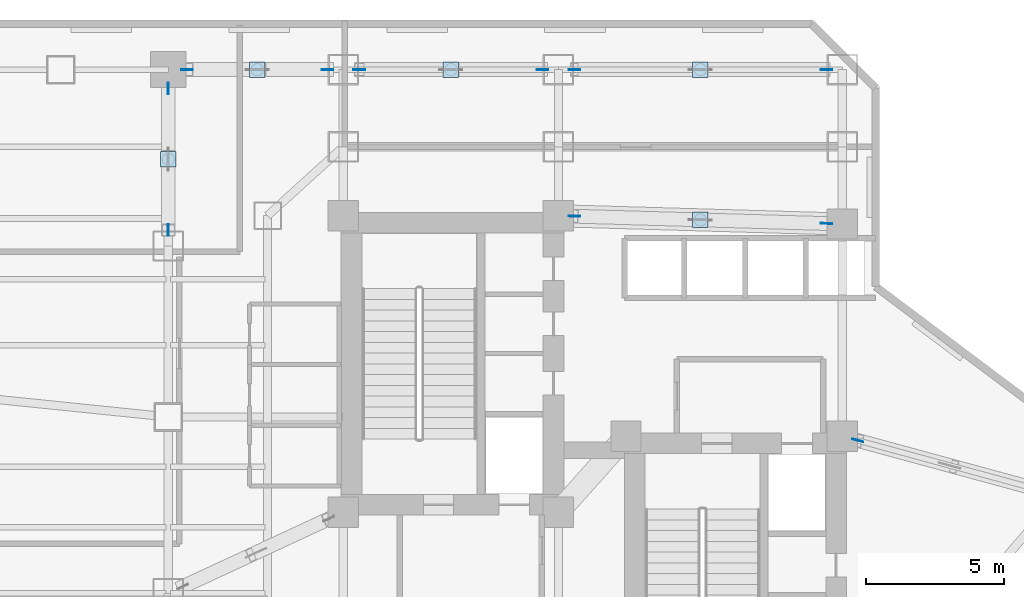
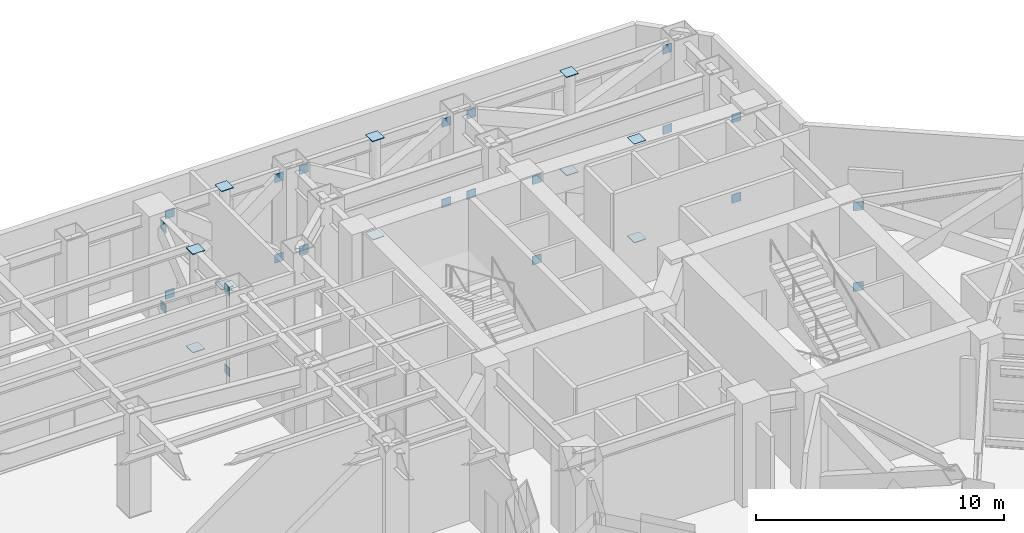
# One storey, part 8 of 16: 32 plates.
"""IFC4 building model written with IfcOpenShell, lengths in metres."""

from ifc_helpers import new_model, si_unit, direction, frame, origin, origin_2d, place, context, subcontext, project, spatial, rectangle, extrude, material, layer, layer_set, type_object, element, save


model = new_model("IFC4")

# Units and contexts
model_context = context("Model", 3, precision=1e-05, world=origin(), true_north=direction((0.0, 1.0)))
body_context = subcontext(model_context, "Body", "Model", "MODEL_VIEW")
ifc_project = project(units=[si_unit("LENGTHUNIT", "METRE"), si_unit("AREAUNIT", "SQUARE_METRE"), si_unit("VOLUMEUNIT", "CUBIC_METRE"), si_unit("PLANEANGLEUNIT", "RADIAN"), si_unit("MASSUNIT", "GRAM", prefix="KILO")], contexts=[model_context])

# Site, building, storey
site_placement = place(None, origin())
site = spatial("IfcSite", under=ifc_project, at=site_placement, CompositionType="ELEMENT")
building_placement = place(site_placement, origin())
building = spatial("IfcBuilding", under=site, at=building_placement, Name="Hatsunagi Terrace Concourse", CompositionType="ELEMENT")
storey_placement = place(building_placement, frame((0.0, 0.0, 27.0)))
storey = spatial("IfcBuildingStorey", under=building, at=storey_placement, Name="L06", CompositionType="ELEMENT", Elevation=27.0)

# Plates
ifc_material_1 = material(Name="Steel SN490C", Category="steel")
ifc_layer_1 = layer(ifc_material_1, 0.031982421875)
ifc_layer_set_1 = layer_set([ifc_layer_1], Name="ColumnEndCapPlate_32")
plate_type_1 = type_object("IfcPlateType", Name="ColumnEndCapPlate_32", PredefinedType="USERDEFINED", material=ifc_layer_set_1)
for number, where, z_axis, x_axis, name in (
    (1, (19.199951171875, 45.35009765625, 0.0), (0.0, 0.0, 1.0), (1.0, 0.0, 0.0), "Belt Strut Base End Plate GP-03 L06-2"),
    (2, (19.199951171875, 45.35009765625, 4.84814453125), (0.0, 0.0, 1.0), (1.0, 0.0, 0.0), "Belt Strut Top End Plate GP-03 L06-2"),
    (3, (22.425048828125, 48.60009765625, 0.0), (0.0, 0.0, 1.0), (1.0, 0.0, 0.0), "Belt Strut Base End Plate GP-03 L06-3"),
    (4, (22.425048828125, 48.60009765625, 4.84814453125), (0.0, 0.0, 1.0), (1.0, 0.0, 0.0), "Belt Strut Top End Plate GP-03 L06-3"),
    (5, (29.449951171875, 48.60009765625, 0.0), (0.0, 0.0, 1.0), (1.0, 0.0, 0.0), "Belt Strut Base End Plate GP-03 L06-4"),
    (6, (29.449951171875, 48.60009765625, 4.84814453125), (0.0, 0.0, 1.0), (1.0, 0.0, 0.0), "Belt Strut Top End Plate GP-03 L06-4"),
    (7, (38.5, 43.14990234375, 0.0), (0.0, 0.0, 1.0), (1.0, 0.0, 0.0), "Belt Strut Base End Plate GP-03 L06-7"),
    (8, (38.5, 43.14990234375, 4.84814453125), (0.0, 0.0, 1.0), (1.0, 0.0, 0.0), "Belt Strut Top End Plate GP-03 L06-7"),
    (9, (38.5, 48.60009765625, 0.0), (0.0, 0.0, 1.0), (1.0, 0.0, 0.0), "Belt Strut Base End Plate GP-03 L06-8"),
    (10, (38.5, 48.60009765625, 4.84814453125), (0.0, 0.0, 1.0), (1.0, 0.0, 0.0), "Belt Strut Top End Plate GP-03 L06-8"),
):
    element("IfcPlate", number, at=place(storey_placement, frame(where, z_axis=z_axis, x_axis=x_axis)), inside=storey, type_object=plate_type_1, Name=name, ObjectType="GUSSET_PLATE", PredefinedType="USERDEFINED", context=body_context, shape_type="SweptSolid", body=[
        extrude(rectangle(XDim=0.56005859375, YDim=0.56005859375, at=origin_2d()), origin(), (0.0, 0.0, 1.0), 0.031982421875),
    ])
ifc_material_2 = material(Name="Steel SN490C", Category="steel")
ifc_layer_2 = layer(ifc_material_2, 0.031982421875)
ifc_layer_set_2 = layer_set([ifc_layer_2], Name="XBraceNodeCapPlate_32")
plate_type_2 = type_object("IfcPlateType", Name="XBraceNodeCapPlate_32", PredefinedType="USERDEFINED", material=ifc_layer_set_2)
for number, where, z_axis, x_axis, name in (
    (11, (19.199951171875, 42.778076171875, 0.25), (0.0, 0.0, 1.0), (0.0, 1.0, 0.0), "Cast-In Core and Node Embed Plate GP-02 EP-OUT-L06-2-AB"),
    (12, (19.199951171875, 42.778076171875, 4.2099609375), (0.0, 0.0, 1.0), (0.0, 1.0, 0.0), "Cast-In Core and Node Embed Plate GP-02 EP-OUT-L06-2-AT"),
    (13, (19.199951171875, 47.922119140625, 0.25), (0.0, 0.0, 1.0), (0.0, 1.0, 0.0), "Cast-In Core and Node Embed Plate GP-02 EP-OUT-L06-2-BB"),
    (14, (19.199951171875, 47.922119140625, 4.2099609375), (0.0, 0.0, 1.0), (0.0, 1.0, 0.0), "Cast-In Core and Node Embed Plate GP-02 EP-OUT-L06-2-BT"),
    (15, (19.8779296875, 48.60009765625, 0.25), (0.0, 0.0, 1.0), (1.0, 0.0, 0.0), "Cast-In Core and Node Embed Plate GP-02 EP-OUT-L06-3-AB"),
    (16, (19.8779296875, 48.60009765625, 4.2099609375), (0.0, 0.0, 1.0), (1.0, 0.0, 0.0), "Cast-In Core and Node Embed Plate GP-02 EP-OUT-L06-3-AT"),
    (17, (24.971923828125, 48.60009765625, 0.25), (0.0, 0.0, 1.0), (1.0, 0.0, 0.0), "Cast-In Core and Node Embed Plate GP-02 EP-OUT-L06-3-BB"),
    (18, (24.971923828125, 48.60009765625, 4.2099609375), (0.0, 0.0, 1.0), (1.0, 0.0, 0.0), "Cast-In Core and Node Embed Plate GP-02 EP-OUT-L06-3-BT"),
    (19, (26.1279296875, 48.60009765625, 0.25), (0.0, 0.0, 1.0), (1.0, 0.0, 0.0), "Cast-In Core and Node Embed Plate GP-02 EP-OUT-L06-4-AB"),
    (20, (26.1279296875, 48.60009765625, 4.2099609375), (0.0, 0.0, 1.0), (1.0, 0.0, 0.0), "Cast-In Core and Node Embed Plate GP-02 EP-OUT-L06-4-AT"),
    (21, (32.77197265625, 48.60009765625, 0.25), (0.0, 0.0, 1.0), (1.0, 0.0, 0.0), "Cast-In Core and Node Embed Plate GP-02 EP-OUT-L06-4-BB"),
    (22, (32.77197265625, 48.60009765625, 4.2099609375), (0.0, 0.0, 1.0), (1.0, 0.0, 0.0), "Cast-In Core and Node Embed Plate GP-02 EP-OUT-L06-4-BT"),
    (23, (44.2080078125, 35.14794921875, 0.25), (0.0, 0.0, 1.0), (0.964961560534, -0.262391285471, 0.0), "Cast-In Core and Node Embed Plate GP-02 EP-OUT-L06-6-AB"),
    (24, (44.2080078125, 35.14794921875, 4.2099609375), (0.0, 0.0, 1.0), (0.964961560534, -0.262391285471, 0.0), "Cast-In Core and Node Embed Plate GP-02 EP-OUT-L06-6-AT"),
    (25, (33.927978515625, 43.282958984375, 0.25), (0.0, 0.0, 1.0), (0.999576120557, -0.029113213716, 0.0), "Cast-In Core and Node Embed Plate GP-02 EP-OUT-L06-7-AB"),
    (26, (33.927978515625, 43.282958984375, 4.2099609375), (0.0, 0.0, 1.0), (0.999576120557, -0.029113213716, 0.0), "Cast-In Core and Node Embed Plate GP-02 EP-OUT-L06-7-AT"),
    (27, (43.072021484375, 43.01708984375, 0.25), (0.0, 0.0, 1.0), (0.999576120557, -0.029113213716, 0.0), "Cast-In Core and Node Embed Plate GP-02 EP-OUT-L06-7-BB"),
    (28, (43.072021484375, 43.01708984375, 4.2099609375), (0.0, 0.0, 1.0), (0.999576120557, -0.029113213716, 0.0), "Cast-In Core and Node Embed Plate GP-02 EP-OUT-L06-7-BT"),
    (29, (33.927978515625, 48.60009765625, 0.25), (0.0, 0.0, 1.0), (1.0, 0.0, 0.0), "Cast-In Core and Node Embed Plate GP-02 EP-OUT-L06-8-AB"),
    (30, (33.927978515625, 48.60009765625, 4.2099609375), (0.0, 0.0, 1.0), (1.0, 0.0, 0.0), "Cast-In Core and Node Embed Plate GP-02 EP-OUT-L06-8-AT"),
    (31, (43.072021484375, 48.60009765625, 0.25), (0.0, 0.0, 1.0), (1.0, 0.0, 0.0), "Cast-In Core and Node Embed Plate GP-02 EP-OUT-L06-8-BB"),
    (32, (43.072021484375, 48.60009765625, 4.2099609375), (0.0, 0.0, 1.0), (1.0, 0.0, 0.0), "Cast-In Core and Node Embed Plate GP-02 EP-OUT-L06-8-BT"),
):
    element("IfcPlate", number, at=place(storey_placement, frame(where, z_axis=z_axis, x_axis=x_axis)), inside=storey, type_object=plate_type_2, Name=name, ObjectType="GUSSET_PLATE", PredefinedType="USERDEFINED", context=body_context, shape_type="SweptSolid", body=[
        extrude(rectangle(XDim=0.419921875, YDim=0.031982421875, at=origin_2d()), origin(), (0.0, 0.0, 1.0), 0.419921875),
    ])

save(model, "model.ifc")
